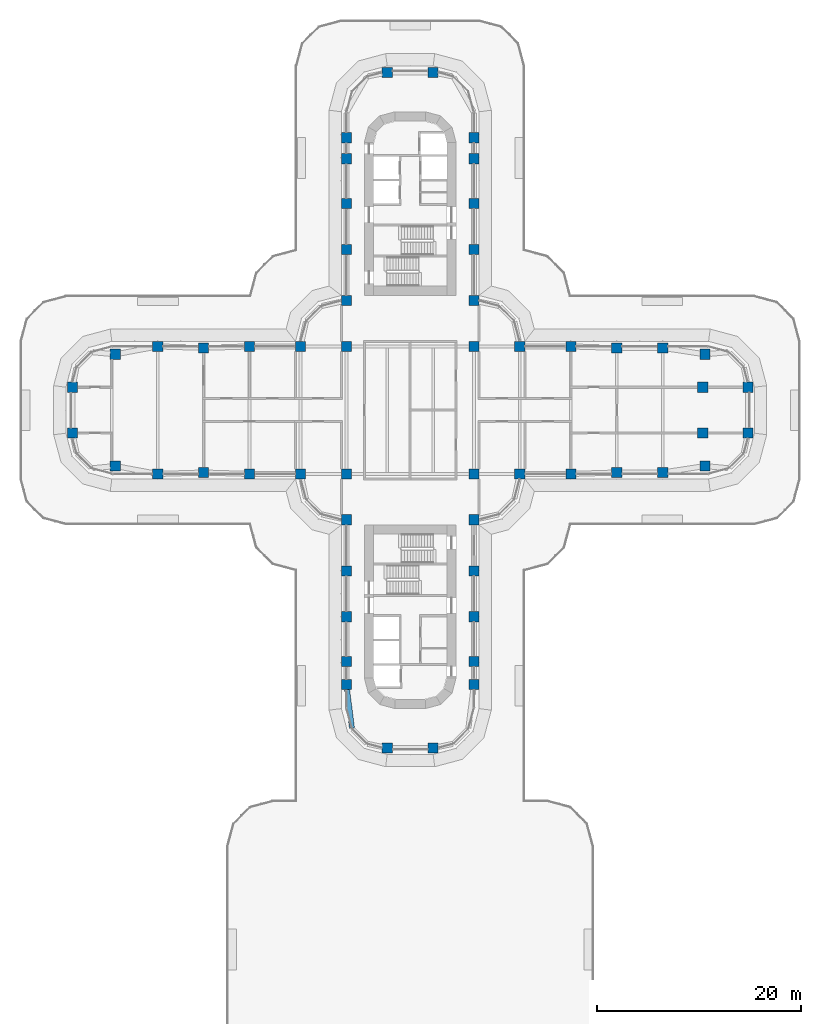
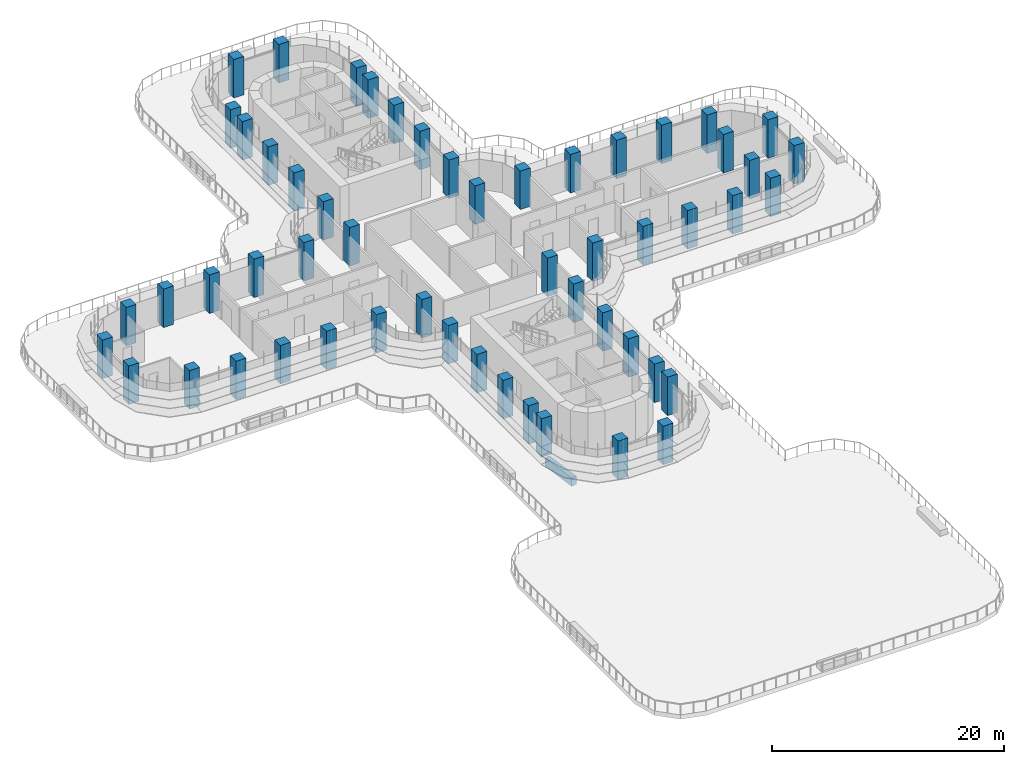
# One storey, part 1 of 26: 54 columns, 1 beam.
"""IFC4 building model written with IfcOpenShell, lengths in metres."""

from ifc_helpers import new_model, si_unit, direction, frame, origin, origin_2d, place, context, subcontext, project, spatial, rectangle, extrude, material, material_profile, profile_set, type_object, element, save


model = new_model("IFC4")

# Units and contexts
model_context = context("Model", 3, precision=1e-05, world=origin(), true_north=direction((0.0, 1.0)))
body_context = subcontext(model_context, "Body", "Model", "MODEL_VIEW")
ifc_project = project(units=[si_unit("LENGTHUNIT", "METRE"), si_unit("AREAUNIT", "SQUARE_METRE"), si_unit("VOLUMEUNIT", "CUBIC_METRE"), si_unit("PLANEANGLEUNIT", "RADIAN"), si_unit("MASSUNIT", "GRAM", prefix="KILO")], contexts=[model_context])

# Site, building, storey
site_placement = place(None, origin())
site = spatial("IfcSite", under=ifc_project, at=site_placement, CompositionType="ELEMENT")
building_placement = place(site_placement, origin())
building = spatial("IfcBuilding", under=site, at=building_placement, Name="Zarbagh Exchange Tower", CompositionType="ELEMENT")
storey_placement = place(building_placement, frame((0.0, 0.0, 27.0)))
storey = spatial("IfcBuildingStorey", under=building, at=storey_placement, Name="L05", CompositionType="ELEMENT", Elevation=27.0)

# Columns
ifc_material = material(Name="Concrete C60/75", Category="concrete")
ifc_material_profile_1 = material_profile(ifc_material, rectangle(XDim=1.0, YDim=1.0, at=origin_2d()), Name="RC column 1000 x 1000 C60/75")
ifc_profile_set_1 = profile_set([ifc_material_profile_1], Name="Concrete C60/75")
column_type = type_object("IfcColumnType", Name="RC column 1000 x 1000 C60/75", PredefinedType="COLUMN", material=ifc_profile_set_1)
for number, where, z_axis, x_axis, name in (
    (1, (-33.110107421875, -2.25, 0.0), (0.0, 0.0, 1.0), (1.0, 0.0, 0.0), "C2 10/S"),
    (2, (-33.110107421875, 2.25, 0.0), (0.0, 0.0, 1.0), (1.0, 0.0, 0.0), "C2 10/T"),
    (3, (-28.907958984375, -5.47509765625, 0.0), (0.0, 0.0, 1.0), (1.0, 0.0, 0.0), "C2 11/R"),
    (4, (-28.907958984375, 5.47509765625, 0.0), (0.0, 0.0, 1.0), (1.0, 0.0, 0.0), "C2 11/U"),
    (5, (-24.75, -6.25, 0.0), (0.0, 0.0, 1.0), (1.0, 0.0, 0.0), "C2 12/R"),
    (6, (-24.75, 6.25, 0.0), (0.0, 0.0, 1.0), (1.0, 0.0, 0.0), "C2 12/U"),
    (7, (-20.25, -6.110107421875, 0.0), (0.0, 0.0, 1.0), (1.0, 0.0, 0.0), "C2 13/R"),
    (8, (-20.25, 6.110107421875, 0.0), (0.0, 0.0, 1.0), (1.0, 0.0, 0.0), "C2 13/U"),
    (9, (-15.75, -6.25, 0.0), (0.0, 0.0, 1.0), (1.0, 0.0, 0.0), "C2 14/R"),
    (10, (-15.75, 6.25, 0.0), (0.0, 0.0, 1.0), (1.0, 0.0, 0.0), "C2 14/U"),
    (11, (-10.75, -6.25, 0.0), (0.0, 0.0, 1.0), (1.0, 0.0, 0.0), "C2 15/R"),
    (12, (-10.75, 6.25, 0.0), (0.0, 0.0, 1.0), (1.0, 0.0, 0.0), "C2 15/U"),
    (13, (-6.25, -26.89990234375, 0.0), (0.0, 0.0, 1.0), (1.0, 0.0, 0.0), "C2 16/L"),
    (14, (-6.25, -24.64990234375, 0.0), (0.0, 0.0, 1.0), (1.0, 0.0, 0.0), "C2 16/M"),
    (15, (-6.25, -20.25, 0.0), (0.0, 0.0, 1.0), (1.0, 0.0, 0.0), "C2 16/N"),
    (16, (-6.25, -15.75, 0.0), (0.0, 0.0, 1.0), (1.0, 0.0, 0.0), "C2 16/P"),
    (17, (-6.25, -10.75, 0.0), (0.0, 0.0, 1.0), (1.0, 0.0, 0.0), "C2 16/Q"),
    (18, (-6.25, -6.25, 0.0), (0.0, 0.0, 1.0), (1.0, 0.0, 0.0), "C2 16/R"),
    (19, (-6.25, 6.25, 0.0), (0.0, 0.0, 1.0), (1.0, 0.0, 0.0), "C2 16/U"),
    (20, (-6.25, 10.75, 0.0), (0.0, 0.0, 1.0), (1.0, 0.0, 0.0), "C2 16/V"),
    (21, (-6.25, 15.75, 0.0), (0.0, 0.0, 1.0), (1.0, 0.0, 0.0), "C2 16/W"),
    (22, (-6.25, 20.25, 0.0), (0.0, 0.0, 1.0), (1.0, 0.0, 0.0), "C2 16/X"),
    (23, (-6.25, 24.64990234375, 0.0), (0.0, 0.0, 1.0), (1.0, 0.0, 0.0), "C2 16/Y"),
    (24, (-6.25, 26.699951171875, 0.0), (0.0, 0.0, 1.0), (1.0, 0.0, 0.0), "C2 16/Z"),
    (25, (-2.25, -33.110107421875, 0.0), (0.0, 0.0, 1.0), (1.0, 0.0, 0.0), "C2 17/K"),
    (26, (-2.25, 33.110107421875, 0.0), (0.0, 0.0, 1.0), (1.0, 0.0, 0.0), "C2 17/AA"),
    (27, (2.25, -33.110107421875, 0.0), (0.0, 0.0, 1.0), (1.0, 0.0, 0.0), "C2 18/K"),
    (28, (2.25, 33.110107421875, 0.0), (0.0, 0.0, 1.0), (1.0, 0.0, 0.0), "C2 18/AA"),
    (29, (6.25, -26.89990234375, 0.0), (0.0, 0.0, 1.0), (1.0, 0.0, 0.0), "C2 19/L"),
    (30, (6.25, -24.64990234375, 0.0), (0.0, 0.0, 1.0), (1.0, 0.0, 0.0), "C2 19/M"),
    (31, (6.25, -20.25, 0.0), (0.0, 0.0, 1.0), (1.0, 0.0, 0.0), "C2 19/N"),
    (32, (6.25, -15.75, 0.0), (0.0, 0.0, 1.0), (1.0, 0.0, 0.0), "C2 19/P"),
    (33, (6.25, -10.75, 0.0), (0.0, 0.0, 1.0), (1.0, 0.0, 0.0), "C2 19/Q"),
    (34, (6.25, -6.25, 0.0), (0.0, 0.0, 1.0), (1.0, 0.0, 0.0), "C2 19/R"),
    (35, (6.25, 6.25, 0.0), (0.0, 0.0, 1.0), (1.0, 0.0, 0.0), "C2 19/U"),
    (36, (6.25, 10.75, 0.0), (0.0, 0.0, 1.0), (1.0, 0.0, 0.0), "C2 19/V"),
    (37, (6.25, 15.75, 0.0), (0.0, 0.0, 1.0), (1.0, 0.0, 0.0), "C2 19/W"),
    (38, (6.25, 20.25, 0.0), (0.0, 0.0, 1.0), (1.0, 0.0, 0.0), "C2 19/X"),
    (39, (6.25, 24.64990234375, 0.0), (0.0, 0.0, 1.0), (1.0, 0.0, 0.0), "C2 19/Y"),
    (40, (6.25, 26.699951171875, 0.0), (0.0, 0.0, 1.0), (1.0, 0.0, 0.0), "C2 19/Z"),
    (41, (10.75, -6.25, 0.0), (0.0, 0.0, 1.0), (1.0, 0.0, 0.0), "C2 20/R"),
    (42, (10.75, 6.25, 0.0), (0.0, 0.0, 1.0), (1.0, 0.0, 0.0), "C2 20/U"),
    (43, (15.75, -6.25, 0.0), (0.0, 0.0, 1.0), (1.0, 0.0, 0.0), "C2 21/R"),
    (44, (15.75, 6.25, 0.0), (0.0, 0.0, 1.0), (1.0, 0.0, 0.0), "C2 21/U"),
    (45, (20.25, -6.110107421875, 0.0), (0.0, 0.0, 1.0), (1.0, 0.0, 0.0), "C2 22/R"),
    (46, (20.25, 6.110107421875, 0.0), (0.0, 0.0, 1.0), (1.0, 0.0, 0.0), "C2 22/U"),
    (47, (24.75, -6.110107421875, 0.0), (0.0, 0.0, 1.0), (1.0, 0.0, 0.0), "C2 23/R"),
    (48, (24.75, 6.110107421875, 0.0), (0.0, 0.0, 1.0), (1.0, 0.0, 0.0), "C2 23/U"),
    (49, (28.907958984375, -5.47509765625, 0.0), (0.0, 0.0, 1.0), (1.0, 0.0, 0.0), "C2 24/R"),
    (50, (28.669921875, -2.25, 0.0), (0.0, 0.0, 1.0), (1.0, 0.0, 0.0), "C2 24/S"),
    (51, (28.669921875, 2.25, 0.0), (0.0, 0.0, 1.0), (1.0, 0.0, 0.0), "C2 24/T"),
    (52, (28.907958984375, 5.47509765625, 0.0), (0.0, 0.0, 1.0), (1.0, 0.0, 0.0), "C2 24/U"),
    (53, (33.110107421875, -2.25, 0.0), (0.0, 0.0, 1.0), (1.0, 0.0, 0.0), "C2 25/S"),
    (54, (33.110107421875, 2.25, 0.0), (0.0, 0.0, 1.0), (1.0, 0.0, 0.0), "C2 25/T"),
):
    element("IfcColumn", number, at=place(storey_placement, frame(where, z_axis=z_axis, x_axis=x_axis)), inside=storey, type_object=column_type, Name=name, PredefinedType="COLUMN", context=body_context, shape_type="SweptSolid", body=[
        extrude(rectangle(XDim=1.0, YDim=1.0, at=origin_2d()), origin(), (0.0, 0.0, 1.0), 4.050048828125),
    ])

# Beam
ifc_material_profile_2 = material_profile(ifc_material, rectangle(XDim=0.5, YDim=0.89990234375, at=origin_2d()), Name="RC spandrel beam 500 x 900 C60/75")
ifc_profile_set_2 = profile_set([ifc_material_profile_2], Name="Concrete C60/75")
beam_type = type_object("IfcBeamType", Name="RC spandrel beam 500 x 900 C60/75", PredefinedType="SPANDREL", material=ifc_profile_set_2)
beam_placement = place(storey_placement, frame((-5.709716796875, -31.156494140625, -0.60009765625), z_axis=(-0.12591317752, 0.992041265133, 0.0), x_axis=(-0.992041265133, -0.12591317752, 0.0)))
element("IfcBeam", 55, at=beam_placement, inside=storey, type_object=beam_type, Name="RC spandrel beam", PredefinedType="SPANDREL", context=body_context, shape_type="SweptSolid", body=[
    extrude(rectangle(XDim=0.5, YDim=0.89990234375, at=origin_2d()), origin(), (0.0, 0.0, 1.0), 3.790771484375),
])

save(model, "model.ifc")
